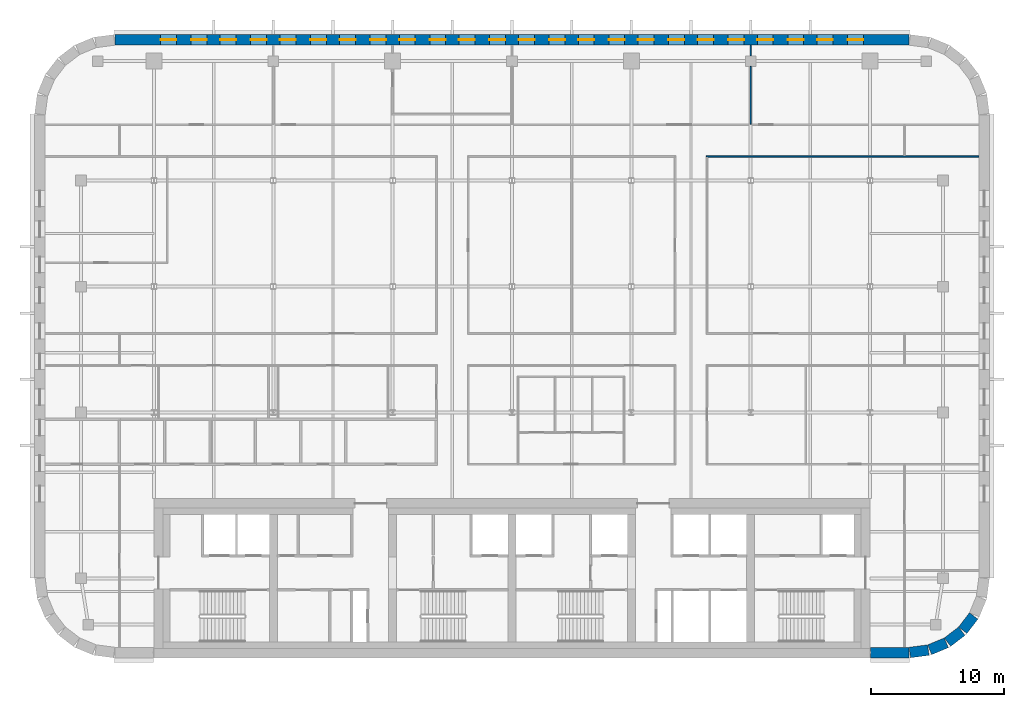
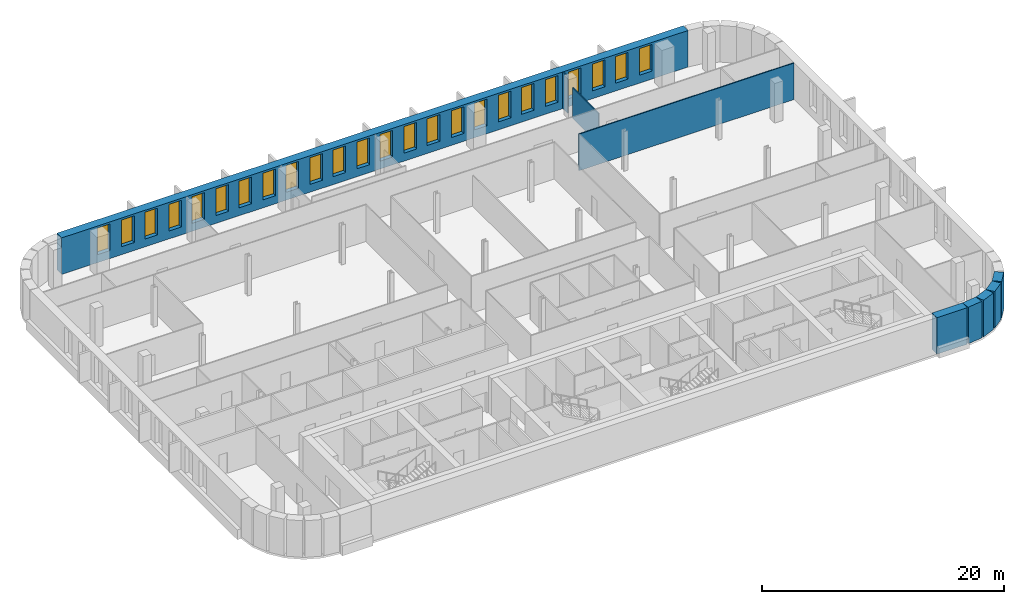
# One storey, part 10 of 15: 24 windows, 9 walls, 24 openings.
"""IFC4 building model written with IfcOpenShell, lengths in metres."""

from ifc_helpers import new_model, si_unit, direction, frame, frame_2d, origin, place, context, subcontext, project, spatial, rectangle, extrude, material, layer, layer_set, type_object, element, fill, save


model = new_model("IFC4")

# Units and contexts
model_context = context("Model", 3, precision=1e-05, world=origin(), true_north=direction((0.0, 1.0)))
body_context = subcontext(model_context, "Body", "Model", "MODEL_VIEW")
ifc_project = project(units=[si_unit("LENGTHUNIT", "METRE"), si_unit("AREAUNIT", "SQUARE_METRE"), si_unit("VOLUMEUNIT", "CUBIC_METRE"), si_unit("PLANEANGLEUNIT", "RADIAN"), si_unit("MASSUNIT", "GRAM", prefix="KILO")], contexts=[model_context])

# Site, building, storey
site_placement = place(None, origin())
site = spatial("IfcSite", under=ifc_project, at=site_placement, CompositionType="ELEMENT")
building_placement = place(site_placement, origin())
building = spatial("IfcBuilding", under=site, at=building_placement, Name="Zellij Exchange Tower", CompositionType="ELEMENT")
storey_placement = place(building_placement, frame((0.0, 0.0, 260.5)))
storey = spatial("IfcBuildingStorey", under=building, at=storey_placement, Name="L61", CompositionType="ELEMENT", Elevation=260.5)

# Walls
ifc_material_1 = material(Name="Precast concrete C40/50", Category="concrete")
ifc_layer_1 = layer(ifc_material_1, 0.800048828125)
ifc_layer_set_1 = layer_set([ifc_layer_1], Name="Precast concrete C40/50")
wall_type_1 = type_object("IfcWallType", Name="ENV-EW1 Precast stone-piered wall 800", PredefinedType="SOLIDWALL", material=ifc_layer_set_1)
wall_1_placement = place(storey_placement, frame((27.050048828125, -13.60009765625, 0.0), z_axis=(0.0, 0.0, 1.0), x_axis=(1.0, 0.0, 0.0)))
element("IfcWall", 1, at=wall_1_placement, inside=storey, type_object=wall_type_1, Name="fac.L61.00b", PredefinedType="SOLIDWALL", context=body_context, shape_type="SweptSolid", body=[
    extrude(rectangle(XDim=2.8974609375, YDim=0.800048828125, at=frame_2d((1.44873046875, 0.0))), origin(), (0.0, 0.0, 1.0), 3.699951171875),
])
wall_2_placement = place(storey_placement, frame((29.999755859375, -13.5966796875, 0.0), z_axis=(0.0, 0.0, 1.0), x_axis=(0.99144603414, 0.130517283865, 0.0)))
element("IfcWall", 2, at=wall_2_placement, inside=storey, type_object=wall_type_1, Name="fac.L61.01", PredefinedType="SOLIDWALL", context=body_context, shape_type="SweptSolid", body=[
    extrude(rectangle(XDim=1.408447265625, YDim=0.800048828125, at=frame_2d((0.7041015625, 0.0))), origin(), (0.0, 0.0, 1.0), 3.699951171875),
])
wall_3_placement = place(storey_placement, frame((31.497314453125, -13.3857421875, 0.0), z_axis=(0.0, 0.0, 1.0), x_axis=(0.923847774587, 0.38276009378, 0.0)))
element("IfcWall", 3, at=wall_3_placement, inside=storey, type_object=wall_type_1, Name="fac.L61.02", PredefinedType="SOLIDWALL", context=body_context, shape_type="SweptSolid", body=[
    extrude(rectangle(XDim=1.35546875, YDim=0.800048828125, at=frame_2d((0.677734375, 0.0))), origin(), (0.0, 0.0, 1.0), 3.699951171875),
])
for number, where, z_axis, x_axis, name in (
    (4, (32.840087890625, -12.814697265625, 0.0), (0.0, 0.0, 1.0), (0.793272915452, 0.608866226366, 0.0), "fac.L61.03"),
    (5, (33.9892578125, -11.91552734375, 0.0), (0.0, 0.0, 1.0), (0.608866226366, 0.793272915452, 0.0), "fac.L61.04"),
):
    element("IfcWall", number, at=place(storey_placement, frame(where, z_axis=z_axis, x_axis=x_axis)), inside=storey, type_object=wall_type_1, Name=name, PredefinedType="SOLIDWALL", context=body_context, shape_type="SweptSolid", body=[
        extrude(rectangle(XDim=1.355712890625, YDim=0.800048828125, at=frame_2d((0.677734375, 0.0))), origin(), (0.0, 0.0, 1.0), 3.699951171875),
    ])

# Wall, openings, windows
wall_4_placement = place(storey_placement, frame((29.947509765625, 32.60009765625, 0.0), z_axis=(0.0, 0.0, 1.0), x_axis=(-1.0, 0.0, 0.0)))
wall_4 = element("IfcWall", 6, at=wall_4_placement, inside=storey, type_object=wall_type_1, Name="fac.L61.14", PredefinedType="SOLIDWALL", context=body_context, shape_type="SweptSolid", body=[
    extrude(rectangle(XDim=59.89501953125, YDim=0.800048828125, at=frame_2d((29.947509765625, 0.0))), origin(), (0.0, 0.0, 1.0), 3.699951171875),
])
opening_1_placement = place(wall_4_placement, frame((3.447509765625, 0.0, 0.800048828125)))
opening_1 = element("IfcOpeningElement", 7, at=opening_1_placement, cuts=wall_4, Name="Opening FZ4.11", PredefinedType="OPENING", context=body_context, shape_type="SweptSolid", body=[
    extrude(rectangle(XDim=1.199951171875, YDim=2.699951171875, at=frame_2d((0.60009765625, 1.35009765625))), frame((0.0, 0.412109375, 0.0), z_axis=(0.0, -1.0, 0.0), x_axis=(1.0, 0.0, 0.0)), (0.0, 0.0, 1.0), 0.823974609375),
])
opening_2_placement = place(wall_4_placement, frame((5.74755859375, 0.0, 0.800048828125)))
opening_2 = element("IfcOpeningElement", 8, at=opening_2_placement, cuts=wall_4, Name="Opening FZ4.12", PredefinedType="OPENING", context=body_context, shape_type="SweptSolid", body=[
    extrude(rectangle(XDim=1.199951171875, YDim=2.699951171875, at=frame_2d((0.60009765625, 1.35009765625))), frame((0.0, 0.412109375, 0.0), z_axis=(0.0, -1.0, 0.0), x_axis=(1.0, 0.0, 0.0)), (0.0, 0.0, 1.0), 0.823974609375),
])
opening_3_placement = place(wall_4_placement, frame((7.947509765625, 0.0, 0.800048828125)))
opening_3 = element("IfcOpeningElement", 9, at=opening_3_placement, cuts=wall_4, Name="Opening FZ4.13", PredefinedType="OPENING", context=body_context, shape_type="SweptSolid", body=[
    extrude(rectangle(XDim=1.199951171875, YDim=2.699951171875, at=frame_2d((0.60009765625, 1.35009765625))), frame((0.0, 0.412109375, 0.0), z_axis=(0.0, -1.0, 0.0), x_axis=(1.0, 0.0, 0.0)), (0.0, 0.0, 1.0), 0.823974609375),
])
opening_4_placement = place(wall_4_placement, frame((10.24755859375, 0.0, 0.800048828125)))
opening_4 = element("IfcOpeningElement", 10, at=opening_4_placement, cuts=wall_4, Name="Opening FZ4.14", PredefinedType="OPENING", context=body_context, shape_type="SweptSolid", body=[
    extrude(rectangle(XDim=1.199951171875, YDim=2.699951171875, at=frame_2d((0.60009765625, 1.35009765625))), frame((0.0, 0.412109375, 0.0), z_axis=(0.0, -1.0, 0.0), x_axis=(1.0, 0.0, 0.0)), (0.0, 0.0, 1.0), 0.823974609375),
])
opening_5_placement = place(wall_4_placement, frame((12.447509765625, 0.0, 0.800048828125)))
opening_5 = element("IfcOpeningElement", 11, at=opening_5_placement, cuts=wall_4, Name="Opening FZ4.15", PredefinedType="OPENING", context=body_context, shape_type="SweptSolid", body=[
    extrude(rectangle(XDim=1.199951171875, YDim=2.699951171875, at=frame_2d((0.60009765625, 1.35009765625))), frame((0.0, 0.412109375, 0.0), z_axis=(0.0, -1.0, 0.0), x_axis=(1.0, 0.0, 0.0)), (0.0, 0.0, 1.0), 0.823974609375),
])
opening_6_placement = place(wall_4_placement, frame((14.74755859375, 0.0, 0.800048828125)))
opening_6 = element("IfcOpeningElement", 12, at=opening_6_placement, cuts=wall_4, Name="Opening FZ4.16", PredefinedType="OPENING", context=body_context, shape_type="SweptSolid", body=[
    extrude(rectangle(XDim=1.199951171875, YDim=2.699951171875, at=frame_2d((0.60009765625, 1.35009765625))), frame((0.0, 0.412109375, 0.0), z_axis=(0.0, -1.0, 0.0), x_axis=(1.0, 0.0, 0.0)), (0.0, 0.0, 1.0), 0.823974609375),
])
opening_7_placement = place(wall_4_placement, frame((16.947509765625, 0.0, 0.800048828125)))
opening_7 = element("IfcOpeningElement", 13, at=opening_7_placement, cuts=wall_4, Name="Opening FZ4.17", PredefinedType="OPENING", context=body_context, shape_type="SweptSolid", body=[
    extrude(rectangle(XDim=1.199951171875, YDim=2.699951171875, at=frame_2d((0.60009765625, 1.35009765625))), frame((0.0, 0.412109375, 0.0), z_axis=(0.0, -1.0, 0.0), x_axis=(1.0, 0.0, 0.0)), (0.0, 0.0, 1.0), 0.823974609375),
])
opening_8_placement = place(wall_4_placement, frame((19.24755859375, 0.0, 0.800048828125)))
opening_8 = element("IfcOpeningElement", 14, at=opening_8_placement, cuts=wall_4, Name="Opening FZ4.18", PredefinedType="OPENING", context=body_context, shape_type="SweptSolid", body=[
    extrude(rectangle(XDim=1.199951171875, YDim=2.699951171875, at=frame_2d((0.60009765625, 1.35009765625))), frame((0.0, 0.412109375, 0.0), z_axis=(0.0, -1.0, 0.0), x_axis=(1.0, 0.0, 0.0)), (0.0, 0.0, 1.0), 0.823974609375),
])
opening_9_placement = place(wall_4_placement, frame((21.447509765625, 0.0, 0.800048828125)))
opening_9 = element("IfcOpeningElement", 15, at=opening_9_placement, cuts=wall_4, Name="Opening FZ4.19", PredefinedType="OPENING", context=body_context, shape_type="SweptSolid", body=[
    extrude(rectangle(XDim=1.199951171875, YDim=2.699951171875, at=frame_2d((0.60009765625, 1.35009765625))), frame((0.0, 0.412109375, 0.0), z_axis=(0.0, -1.0, 0.0), x_axis=(1.0, 0.0, 0.0)), (0.0, 0.0, 1.0), 0.823974609375),
])
opening_10_placement = place(wall_4_placement, frame((23.74755859375, 0.0, 0.800048828125)))
opening_10 = element("IfcOpeningElement", 16, at=opening_10_placement, cuts=wall_4, Name="Opening FZ4.20", PredefinedType="OPENING", context=body_context, shape_type="SweptSolid", body=[
    extrude(rectangle(XDim=1.199951171875, YDim=2.699951171875, at=frame_2d((0.60009765625, 1.35009765625))), frame((0.0, 0.412109375, 0.0), z_axis=(0.0, -1.0, 0.0), x_axis=(1.0, 0.0, 0.0)), (0.0, 0.0, 1.0), 0.823974609375),
])
opening_11_placement = place(wall_4_placement, frame((25.947509765625, 0.0, 0.800048828125)))
opening_11 = element("IfcOpeningElement", 17, at=opening_11_placement, cuts=wall_4, Name="Opening FZ4.21", PredefinedType="OPENING", context=body_context, shape_type="SweptSolid", body=[
    extrude(rectangle(XDim=1.199951171875, YDim=2.699951171875, at=frame_2d((0.60009765625, 1.35009765625))), frame((0.0, 0.412109375, 0.0), z_axis=(0.0, -1.0, 0.0), x_axis=(1.0, 0.0, 0.0)), (0.0, 0.0, 1.0), 0.823974609375),
])
opening_12_placement = place(wall_4_placement, frame((28.24755859375, 0.0, 0.800048828125)))
opening_12 = element("IfcOpeningElement", 18, at=opening_12_placement, cuts=wall_4, Name="Opening FZ4.22", PredefinedType="OPENING", context=body_context, shape_type="SweptSolid", body=[
    extrude(rectangle(XDim=1.199951171875, YDim=2.699951171875, at=frame_2d((0.60009765625, 1.35009765625))), frame((0.0, 0.412109375, 0.0), z_axis=(0.0, -1.0, 0.0), x_axis=(1.0, 0.0, 0.0)), (0.0, 0.0, 1.0), 0.823974609375),
])
opening_13_placement = place(wall_4_placement, frame((30.447509765625, 0.0, 0.800048828125)))
opening_13 = element("IfcOpeningElement", 19, at=opening_13_placement, cuts=wall_4, Name="Opening FZ4.23", PredefinedType="OPENING", context=body_context, shape_type="SweptSolid", body=[
    extrude(rectangle(XDim=1.199951171875, YDim=2.699951171875, at=frame_2d((0.60009765625, 1.35009765625))), frame((0.0, 0.412109375, 0.0), z_axis=(0.0, -1.0, 0.0), x_axis=(1.0, 0.0, 0.0)), (0.0, 0.0, 1.0), 0.823974609375),
])
opening_14_placement = place(wall_4_placement, frame((32.74755859375, 0.0, 0.800048828125)))
opening_14 = element("IfcOpeningElement", 20, at=opening_14_placement, cuts=wall_4, Name="Opening FZ4.24", PredefinedType="OPENING", context=body_context, shape_type="SweptSolid", body=[
    extrude(rectangle(XDim=1.199951171875, YDim=2.699951171875, at=frame_2d((0.60009765625, 1.35009765625))), frame((0.0, 0.412109375, 0.0), z_axis=(0.0, -1.0, 0.0), x_axis=(1.0, 0.0, 0.0)), (0.0, 0.0, 1.0), 0.823974609375),
])
opening_15_placement = place(wall_4_placement, frame((34.947509765625, 0.0, 0.800048828125)))
opening_15 = element("IfcOpeningElement", 21, at=opening_15_placement, cuts=wall_4, Name="Opening FZ4.25", PredefinedType="OPENING", context=body_context, shape_type="SweptSolid", body=[
    extrude(rectangle(XDim=1.199951171875, YDim=2.699951171875, at=frame_2d((0.60009765625, 1.35009765625))), frame((0.0, 0.412109375, 0.0), z_axis=(0.0, -1.0, 0.0), x_axis=(1.0, 0.0, 0.0)), (0.0, 0.0, 1.0), 0.823974609375),
])
opening_16_placement = place(wall_4_placement, frame((37.24755859375, 0.0, 0.800048828125)))
opening_16 = element("IfcOpeningElement", 22, at=opening_16_placement, cuts=wall_4, Name="Opening FZ4.26", PredefinedType="OPENING", context=body_context, shape_type="SweptSolid", body=[
    extrude(rectangle(XDim=1.199951171875, YDim=2.699951171875, at=frame_2d((0.60009765625, 1.35009765625))), frame((0.0, 0.412109375, 0.0), z_axis=(0.0, -1.0, 0.0), x_axis=(1.0, 0.0, 0.0)), (0.0, 0.0, 1.0), 0.823974609375),
])
opening_17_placement = place(wall_4_placement, frame((39.447509765625, 0.0, 0.800048828125)))
opening_17 = element("IfcOpeningElement", 23, at=opening_17_placement, cuts=wall_4, Name="Opening FZ4.27", PredefinedType="OPENING", context=body_context, shape_type="SweptSolid", body=[
    extrude(rectangle(XDim=1.199951171875, YDim=2.699951171875, at=frame_2d((0.60009765625, 1.35009765625))), frame((0.0, 0.412109375, 0.0), z_axis=(0.0, -1.0, 0.0), x_axis=(1.0, 0.0, 0.0)), (0.0, 0.0, 1.0), 0.823974609375),
])
opening_18_placement = place(wall_4_placement, frame((41.74755859375, 0.0, 0.800048828125)))
opening_18 = element("IfcOpeningElement", 24, at=opening_18_placement, cuts=wall_4, Name="Opening FZ4.28", PredefinedType="OPENING", context=body_context, shape_type="SweptSolid", body=[
    extrude(rectangle(XDim=1.199951171875, YDim=2.699951171875, at=frame_2d((0.60009765625, 1.35009765625))), frame((0.0, 0.412109375, 0.0), z_axis=(0.0, -1.0, 0.0), x_axis=(1.0, 0.0, 0.0)), (0.0, 0.0, 1.0), 0.823974609375),
])
opening_19_placement = place(wall_4_placement, frame((43.947509765625, 0.0, 0.800048828125)))
opening_19 = element("IfcOpeningElement", 25, at=opening_19_placement, cuts=wall_4, Name="Opening FZ4.29", PredefinedType="OPENING", context=body_context, shape_type="SweptSolid", body=[
    extrude(rectangle(XDim=1.199951171875, YDim=2.699951171875, at=frame_2d((0.60009765625, 1.35009765625))), frame((0.0, 0.412109375, 0.0), z_axis=(0.0, -1.0, 0.0), x_axis=(1.0, 0.0, 0.0)), (0.0, 0.0, 1.0), 0.823974609375),
])
opening_20_placement = place(wall_4_placement, frame((46.24755859375, 0.0, 0.800048828125)))
opening_20 = element("IfcOpeningElement", 26, at=opening_20_placement, cuts=wall_4, Name="Opening FZ4.30", PredefinedType="OPENING", context=body_context, shape_type="SweptSolid", body=[
    extrude(rectangle(XDim=1.199951171875, YDim=2.699951171875, at=frame_2d((0.60009765625, 1.35009765625))), frame((0.0, 0.412109375, 0.0), z_axis=(0.0, -1.0, 0.0), x_axis=(1.0, 0.0, 0.0)), (0.0, 0.0, 1.0), 0.823974609375),
])
opening_21_placement = place(wall_4_placement, frame((48.447509765625, 0.0, 0.800048828125)))
opening_21 = element("IfcOpeningElement", 27, at=opening_21_placement, cuts=wall_4, Name="Opening FZ4.31", PredefinedType="OPENING", context=body_context, shape_type="SweptSolid", body=[
    extrude(rectangle(XDim=1.199951171875, YDim=2.699951171875, at=frame_2d((0.60009765625, 1.35009765625))), frame((0.0, 0.412109375, 0.0), z_axis=(0.0, -1.0, 0.0), x_axis=(1.0, 0.0, 0.0)), (0.0, 0.0, 1.0), 0.823974609375),
])
opening_22_placement = place(wall_4_placement, frame((50.74755859375, 0.0, 0.800048828125)))
opening_22 = element("IfcOpeningElement", 28, at=opening_22_placement, cuts=wall_4, Name="Opening FZ4.32", PredefinedType="OPENING", context=body_context, shape_type="SweptSolid", body=[
    extrude(rectangle(XDim=1.199951171875, YDim=2.699951171875, at=frame_2d((0.60009765625, 1.35009765625))), frame((0.0, 0.412109375, 0.0), z_axis=(0.0, -1.0, 0.0), x_axis=(1.0, 0.0, 0.0)), (0.0, 0.0, 1.0), 0.823974609375),
])
opening_23_placement = place(wall_4_placement, frame((52.947509765625, 0.0, 0.800048828125)))
opening_23 = element("IfcOpeningElement", 29, at=opening_23_placement, cuts=wall_4, Name="Opening FZ4.33", PredefinedType="OPENING", context=body_context, shape_type="SweptSolid", body=[
    extrude(rectangle(XDim=1.199951171875, YDim=2.699951171875, at=frame_2d((0.60009765625, 1.35009765625))), frame((0.0, 0.412109375, 0.0), z_axis=(0.0, -1.0, 0.0), x_axis=(1.0, 0.0, 0.0)), (0.0, 0.0, 1.0), 0.823974609375),
])
opening_24_placement = place(wall_4_placement, frame((55.24755859375, 0.0, 0.800048828125)))
opening_24 = element("IfcOpeningElement", 30, at=opening_24_placement, cuts=wall_4, Name="Opening FZ4.34", PredefinedType="OPENING", context=body_context, shape_type="SweptSolid", body=[
    extrude(rectangle(XDim=1.199951171875, YDim=2.699951171875, at=frame_2d((0.60009765625, 1.35009765625))), frame((0.0, 0.412109375, 0.0), z_axis=(0.0, -1.0, 0.0), x_axis=(1.0, 0.0, 0.0)), (0.0, 0.0, 1.0), 0.823974609375),
])
ifc_material_2 = material(Name="Aluminium frame with insulating glass", Category="aluminium")
window_type = type_object("IfcWindowType", Name="ENV-W9 Window 1200x2700", PartitioningType="SINGLE_PANEL", PredefinedType="WINDOW", material=ifc_material_2)
window_1_placement = place(opening_1_placement, origin())
window_1 = element("IfcWindow", 31, at=window_1_placement, inside=storey, type_object=window_type, Name="Window FZ4.11", OverallHeight=2.699951171875, OverallWidth=1.199951171875, PartitioningType="SINGLE_PANEL", PredefinedType="WINDOW", context=body_context, shape_type="SweptSolid", body=[
    extrude(rectangle(XDim=1.199951171875, YDim=2.699951171875, at=frame_2d((0.60009765625, 1.35009765625))), frame((0.0, 0.030029296875, 0.0), z_axis=(0.0, -1.0, 0.0), x_axis=(1.0, 0.0, 0.0)), (0.0, 0.0, 1.0), 0.06005859375),
])
fill(opening_1, window_1)
window_2_placement = place(opening_2_placement, origin())
window_2 = element("IfcWindow", 32, at=window_2_placement, inside=storey, type_object=window_type, Name="Window FZ4.12", OverallHeight=2.699951171875, OverallWidth=1.199951171875, PartitioningType="SINGLE_PANEL", PredefinedType="WINDOW", context=body_context, shape_type="SweptSolid", body=[
    extrude(rectangle(XDim=1.199951171875, YDim=2.699951171875, at=frame_2d((0.60009765625, 1.35009765625))), frame((0.0, 0.030029296875, 0.0), z_axis=(0.0, -1.0, 0.0), x_axis=(1.0, 0.0, 0.0)), (0.0, 0.0, 1.0), 0.06005859375),
])
fill(opening_2, window_2)
window_3_placement = place(opening_3_placement, origin())
window_3 = element("IfcWindow", 33, at=window_3_placement, inside=storey, type_object=window_type, Name="Window FZ4.13", OverallHeight=2.699951171875, OverallWidth=1.199951171875, PartitioningType="SINGLE_PANEL", PredefinedType="WINDOW", context=body_context, shape_type="SweptSolid", body=[
    extrude(rectangle(XDim=1.199951171875, YDim=2.699951171875, at=frame_2d((0.60009765625, 1.35009765625))), frame((0.0, 0.030029296875, 0.0), z_axis=(0.0, -1.0, 0.0), x_axis=(1.0, 0.0, 0.0)), (0.0, 0.0, 1.0), 0.06005859375),
])
fill(opening_3, window_3)
window_4_placement = place(opening_4_placement, origin())
window_4 = element("IfcWindow", 34, at=window_4_placement, inside=storey, type_object=window_type, Name="Window FZ4.14", OverallHeight=2.699951171875, OverallWidth=1.199951171875, PartitioningType="SINGLE_PANEL", PredefinedType="WINDOW", context=body_context, shape_type="SweptSolid", body=[
    extrude(rectangle(XDim=1.199951171875, YDim=2.699951171875, at=frame_2d((0.60009765625, 1.35009765625))), frame((0.0, 0.030029296875, 0.0), z_axis=(0.0, -1.0, 0.0), x_axis=(1.0, 0.0, 0.0)), (0.0, 0.0, 1.0), 0.06005859375),
])
fill(opening_4, window_4)
window_5_placement = place(opening_5_placement, origin())
window_5 = element("IfcWindow", 35, at=window_5_placement, inside=storey, type_object=window_type, Name="Window FZ4.15", OverallHeight=2.699951171875, OverallWidth=1.199951171875, PartitioningType="SINGLE_PANEL", PredefinedType="WINDOW", context=body_context, shape_type="SweptSolid", body=[
    extrude(rectangle(XDim=1.199951171875, YDim=2.699951171875, at=frame_2d((0.60009765625, 1.35009765625))), frame((0.0, 0.030029296875, 0.0), z_axis=(0.0, -1.0, 0.0), x_axis=(1.0, 0.0, 0.0)), (0.0, 0.0, 1.0), 0.06005859375),
])
fill(opening_5, window_5)
window_6_placement = place(opening_6_placement, origin())
window_6 = element("IfcWindow", 36, at=window_6_placement, inside=storey, type_object=window_type, Name="Window FZ4.16", OverallHeight=2.699951171875, OverallWidth=1.199951171875, PartitioningType="SINGLE_PANEL", PredefinedType="WINDOW", context=body_context, shape_type="SweptSolid", body=[
    extrude(rectangle(XDim=1.199951171875, YDim=2.699951171875, at=frame_2d((0.60009765625, 1.35009765625))), frame((0.0, 0.030029296875, 0.0), z_axis=(0.0, -1.0, 0.0), x_axis=(1.0, 0.0, 0.0)), (0.0, 0.0, 1.0), 0.06005859375),
])
fill(opening_6, window_6)
window_7_placement = place(opening_7_placement, origin())
window_7 = element("IfcWindow", 37, at=window_7_placement, inside=storey, type_object=window_type, Name="Window FZ4.17", OverallHeight=2.699951171875, OverallWidth=1.199951171875, PartitioningType="SINGLE_PANEL", PredefinedType="WINDOW", context=body_context, shape_type="SweptSolid", body=[
    extrude(rectangle(XDim=1.199951171875, YDim=2.699951171875, at=frame_2d((0.60009765625, 1.35009765625))), frame((0.0, 0.030029296875, 0.0), z_axis=(0.0, -1.0, 0.0), x_axis=(1.0, 0.0, 0.0)), (0.0, 0.0, 1.0), 0.06005859375),
])
fill(opening_7, window_7)
window_8_placement = place(opening_8_placement, origin())
window_8 = element("IfcWindow", 38, at=window_8_placement, inside=storey, type_object=window_type, Name="Window FZ4.18", OverallHeight=2.699951171875, OverallWidth=1.199951171875, PartitioningType="SINGLE_PANEL", PredefinedType="WINDOW", context=body_context, shape_type="SweptSolid", body=[
    extrude(rectangle(XDim=1.199951171875, YDim=2.699951171875, at=frame_2d((0.60009765625, 1.35009765625))), frame((0.0, 0.030029296875, 0.0), z_axis=(0.0, -1.0, 0.0), x_axis=(1.0, 0.0, 0.0)), (0.0, 0.0, 1.0), 0.06005859375),
])
fill(opening_8, window_8)
window_9_placement = place(opening_9_placement, origin())
window_9 = element("IfcWindow", 39, at=window_9_placement, inside=storey, type_object=window_type, Name="Window FZ4.19", OverallHeight=2.699951171875, OverallWidth=1.199951171875, PartitioningType="SINGLE_PANEL", PredefinedType="WINDOW", context=body_context, shape_type="SweptSolid", body=[
    extrude(rectangle(XDim=1.199951171875, YDim=2.699951171875, at=frame_2d((0.60009765625, 1.35009765625))), frame((0.0, 0.030029296875, 0.0), z_axis=(0.0, -1.0, 0.0), x_axis=(1.0, 0.0, 0.0)), (0.0, 0.0, 1.0), 0.06005859375),
])
fill(opening_9, window_9)
window_10_placement = place(opening_10_placement, origin())
window_10 = element("IfcWindow", 40, at=window_10_placement, inside=storey, type_object=window_type, Name="Window FZ4.20", OverallHeight=2.699951171875, OverallWidth=1.199951171875, PartitioningType="SINGLE_PANEL", PredefinedType="WINDOW", context=body_context, shape_type="SweptSolid", body=[
    extrude(rectangle(XDim=1.199951171875, YDim=2.699951171875, at=frame_2d((0.60009765625, 1.35009765625))), frame((0.0, 0.030029296875, 0.0), z_axis=(0.0, -1.0, 0.0), x_axis=(1.0, 0.0, 0.0)), (0.0, 0.0, 1.0), 0.06005859375),
])
fill(opening_10, window_10)
window_11_placement = place(opening_11_placement, origin())
window_11 = element("IfcWindow", 41, at=window_11_placement, inside=storey, type_object=window_type, Name="Window FZ4.21", OverallHeight=2.699951171875, OverallWidth=1.199951171875, PartitioningType="SINGLE_PANEL", PredefinedType="WINDOW", context=body_context, shape_type="SweptSolid", body=[
    extrude(rectangle(XDim=1.199951171875, YDim=2.699951171875, at=frame_2d((0.60009765625, 1.35009765625))), frame((0.0, 0.030029296875, 0.0), z_axis=(0.0, -1.0, 0.0), x_axis=(1.0, 0.0, 0.0)), (0.0, 0.0, 1.0), 0.06005859375),
])
fill(opening_11, window_11)
window_12_placement = place(opening_12_placement, origin())
window_12 = element("IfcWindow", 42, at=window_12_placement, inside=storey, type_object=window_type, Name="Window FZ4.22", OverallHeight=2.699951171875, OverallWidth=1.199951171875, PartitioningType="SINGLE_PANEL", PredefinedType="WINDOW", context=body_context, shape_type="SweptSolid", body=[
    extrude(rectangle(XDim=1.199951171875, YDim=2.699951171875, at=frame_2d((0.60009765625, 1.35009765625))), frame((0.0, 0.030029296875, 0.0), z_axis=(0.0, -1.0, 0.0), x_axis=(1.0, 0.0, 0.0)), (0.0, 0.0, 1.0), 0.06005859375),
])
fill(opening_12, window_12)
window_13_placement = place(opening_13_placement, origin())
window_13 = element("IfcWindow", 43, at=window_13_placement, inside=storey, type_object=window_type, Name="Window FZ4.23", OverallHeight=2.699951171875, OverallWidth=1.199951171875, PartitioningType="SINGLE_PANEL", PredefinedType="WINDOW", context=body_context, shape_type="SweptSolid", body=[
    extrude(rectangle(XDim=1.199951171875, YDim=2.699951171875, at=frame_2d((0.60009765625, 1.35009765625))), frame((0.0, 0.030029296875, 0.0), z_axis=(0.0, -1.0, 0.0), x_axis=(1.0, 0.0, 0.0)), (0.0, 0.0, 1.0), 0.06005859375),
])
fill(opening_13, window_13)
window_14_placement = place(opening_14_placement, origin())
window_14 = element("IfcWindow", 44, at=window_14_placement, inside=storey, type_object=window_type, Name="Window FZ4.24", OverallHeight=2.699951171875, OverallWidth=1.199951171875, PartitioningType="SINGLE_PANEL", PredefinedType="WINDOW", context=body_context, shape_type="SweptSolid", body=[
    extrude(rectangle(XDim=1.199951171875, YDim=2.699951171875, at=frame_2d((0.60009765625, 1.35009765625))), frame((0.0, 0.030029296875, 0.0), z_axis=(0.0, -1.0, 0.0), x_axis=(1.0, 0.0, 0.0)), (0.0, 0.0, 1.0), 0.06005859375),
])
fill(opening_14, window_14)
window_15_placement = place(opening_15_placement, origin())
window_15 = element("IfcWindow", 45, at=window_15_placement, inside=storey, type_object=window_type, Name="Window FZ4.25", OverallHeight=2.699951171875, OverallWidth=1.199951171875, PartitioningType="SINGLE_PANEL", PredefinedType="WINDOW", context=body_context, shape_type="SweptSolid", body=[
    extrude(rectangle(XDim=1.199951171875, YDim=2.699951171875, at=frame_2d((0.60009765625, 1.35009765625))), frame((0.0, 0.030029296875, 0.0), z_axis=(0.0, -1.0, 0.0), x_axis=(1.0, 0.0, 0.0)), (0.0, 0.0, 1.0), 0.06005859375),
])
fill(opening_15, window_15)
window_16_placement = place(opening_16_placement, origin())
window_16 = element("IfcWindow", 46, at=window_16_placement, inside=storey, type_object=window_type, Name="Window FZ4.26", OverallHeight=2.699951171875, OverallWidth=1.199951171875, PartitioningType="SINGLE_PANEL", PredefinedType="WINDOW", context=body_context, shape_type="SweptSolid", body=[
    extrude(rectangle(XDim=1.199951171875, YDim=2.699951171875, at=frame_2d((0.60009765625, 1.35009765625))), frame((0.0, 0.030029296875, 0.0), z_axis=(0.0, -1.0, 0.0), x_axis=(1.0, 0.0, 0.0)), (0.0, 0.0, 1.0), 0.06005859375),
])
fill(opening_16, window_16)
window_17_placement = place(opening_17_placement, origin())
window_17 = element("IfcWindow", 47, at=window_17_placement, inside=storey, type_object=window_type, Name="Window FZ4.27", OverallHeight=2.699951171875, OverallWidth=1.199951171875, PartitioningType="SINGLE_PANEL", PredefinedType="WINDOW", context=body_context, shape_type="SweptSolid", body=[
    extrude(rectangle(XDim=1.199951171875, YDim=2.699951171875, at=frame_2d((0.60009765625, 1.35009765625))), frame((0.0, 0.030029296875, 0.0), z_axis=(0.0, -1.0, 0.0), x_axis=(1.0, 0.0, 0.0)), (0.0, 0.0, 1.0), 0.06005859375),
])
fill(opening_17, window_17)
window_18_placement = place(opening_18_placement, origin())
window_18 = element("IfcWindow", 48, at=window_18_placement, inside=storey, type_object=window_type, Name="Window FZ4.28", OverallHeight=2.699951171875, OverallWidth=1.199951171875, PartitioningType="SINGLE_PANEL", PredefinedType="WINDOW", context=body_context, shape_type="SweptSolid", body=[
    extrude(rectangle(XDim=1.199951171875, YDim=2.699951171875, at=frame_2d((0.60009765625, 1.35009765625))), frame((0.0, 0.030029296875, 0.0), z_axis=(0.0, -1.0, 0.0), x_axis=(1.0, 0.0, 0.0)), (0.0, 0.0, 1.0), 0.06005859375),
])
fill(opening_18, window_18)
window_19_placement = place(opening_19_placement, origin())
window_19 = element("IfcWindow", 49, at=window_19_placement, inside=storey, type_object=window_type, Name="Window FZ4.29", OverallHeight=2.699951171875, OverallWidth=1.199951171875, PartitioningType="SINGLE_PANEL", PredefinedType="WINDOW", context=body_context, shape_type="SweptSolid", body=[
    extrude(rectangle(XDim=1.199951171875, YDim=2.699951171875, at=frame_2d((0.60009765625, 1.35009765625))), frame((0.0, 0.030029296875, 0.0), z_axis=(0.0, -1.0, 0.0), x_axis=(1.0, 0.0, 0.0)), (0.0, 0.0, 1.0), 0.06005859375),
])
fill(opening_19, window_19)
window_20_placement = place(opening_20_placement, origin())
window_20 = element("IfcWindow", 50, at=window_20_placement, inside=storey, type_object=window_type, Name="Window FZ4.30", OverallHeight=2.699951171875, OverallWidth=1.199951171875, PartitioningType="SINGLE_PANEL", PredefinedType="WINDOW", context=body_context, shape_type="SweptSolid", body=[
    extrude(rectangle(XDim=1.199951171875, YDim=2.699951171875, at=frame_2d((0.60009765625, 1.35009765625))), frame((0.0, 0.030029296875, 0.0), z_axis=(0.0, -1.0, 0.0), x_axis=(1.0, 0.0, 0.0)), (0.0, 0.0, 1.0), 0.06005859375),
])
fill(opening_20, window_20)
window_21_placement = place(opening_21_placement, origin())
window_21 = element("IfcWindow", 51, at=window_21_placement, inside=storey, type_object=window_type, Name="Window FZ4.31", OverallHeight=2.699951171875, OverallWidth=1.199951171875, PartitioningType="SINGLE_PANEL", PredefinedType="WINDOW", context=body_context, shape_type="SweptSolid", body=[
    extrude(rectangle(XDim=1.199951171875, YDim=2.699951171875, at=frame_2d((0.60009765625, 1.35009765625))), frame((0.0, 0.030029296875, 0.0), z_axis=(0.0, -1.0, 0.0), x_axis=(1.0, 0.0, 0.0)), (0.0, 0.0, 1.0), 0.06005859375),
])
fill(opening_21, window_21)
window_22_placement = place(opening_22_placement, origin())
window_22 = element("IfcWindow", 52, at=window_22_placement, inside=storey, type_object=window_type, Name="Window FZ4.32", OverallHeight=2.699951171875, OverallWidth=1.199951171875, PartitioningType="SINGLE_PANEL", PredefinedType="WINDOW", context=body_context, shape_type="SweptSolid", body=[
    extrude(rectangle(XDim=1.199951171875, YDim=2.699951171875, at=frame_2d((0.60009765625, 1.35009765625))), frame((0.0, 0.030029296875, 0.0), z_axis=(0.0, -1.0, 0.0), x_axis=(1.0, 0.0, 0.0)), (0.0, 0.0, 1.0), 0.06005859375),
])
fill(opening_22, window_22)
window_23_placement = place(opening_23_placement, origin())
window_23 = element("IfcWindow", 53, at=window_23_placement, inside=storey, type_object=window_type, Name="Window FZ4.33", OverallHeight=2.699951171875, OverallWidth=1.199951171875, PartitioningType="SINGLE_PANEL", PredefinedType="WINDOW", context=body_context, shape_type="SweptSolid", body=[
    extrude(rectangle(XDim=1.199951171875, YDim=2.699951171875, at=frame_2d((0.60009765625, 1.35009765625))), frame((0.0, 0.030029296875, 0.0), z_axis=(0.0, -1.0, 0.0), x_axis=(1.0, 0.0, 0.0)), (0.0, 0.0, 1.0), 0.06005859375),
])
fill(opening_23, window_23)
window_24_placement = place(opening_24_placement, origin())
window_24 = element("IfcWindow", 54, at=window_24_placement, inside=storey, type_object=window_type, Name="Window FZ4.34", OverallHeight=2.699951171875, OverallWidth=1.199951171875, PartitioningType="SINGLE_PANEL", PredefinedType="WINDOW", context=body_context, shape_type="SweptSolid", body=[
    extrude(rectangle(XDim=1.199951171875, YDim=2.699951171875, at=frame_2d((0.60009765625, 1.35009765625))), frame((0.0, 0.030029296875, 0.0), z_axis=(0.0, -1.0, 0.0), x_axis=(1.0, 0.0, 0.0)), (0.0, 0.0, 1.0), 0.06005859375),
])
fill(opening_24, window_24)

# Walls
ifc_material_3 = material(Name="Gypsum board partition on steel studs", Category="steel")
ifc_layer_2 = layer(ifc_material_3, 0.10009765625)
ifc_layer_set_2 = layer_set([ifc_layer_2], Name="Gypsum board partition on steel studs")
wall_type_2 = type_object("IfcWallType", Name="FIT-PARTITION-100", PredefinedType="PARTITIONING", material=ifc_layer_set_2)
wall_5_placement = place(storey_placement, frame((14.64990234375, 23.800048828125, 0.0), z_axis=(0.0, 0.0, 1.0), x_axis=(1.0, 0.0, 0.0)))
element("IfcWall", 55, at=wall_5_placement, inside=storey, type_object=wall_type_2, Name="FIT-PARTITION-100 052", PredefinedType="PARTITIONING", context=body_context, shape_type="SweptSolid", body=[
    extrude(rectangle(XDim=20.550048828125, YDim=0.10009765625, at=frame_2d((10.27490234375, 0.0))), origin(), (0.0, 0.0, 1.0), 3.699951171875),
])
wall_6_placement = place(storey_placement, frame((18.0, 26.25, 0.0), z_axis=(0.0, 0.0, 1.0), x_axis=(0.0, 1.0, 0.0)))
element("IfcWall", 56, at=wall_6_placement, inside=storey, type_object=wall_type_2, Name="FIT-PARTITION-100 059", PredefinedType="PARTITIONING", context=body_context, shape_type="SweptSolid", body=[
    extrude(rectangle(XDim=4.35009765625, YDim=0.10009765625, at=frame_2d((2.175048828125, 0.0))), origin(), (0.0, 0.0, 1.0), 3.093017578125),
])
wall_7_placement = place(storey_placement, frame((18.0, 31.39990234375, 0.0), z_axis=(0.0, 0.0, 1.0), x_axis=(0.0, 1.0, 0.0)))
element("IfcWall", 57, at=wall_7_placement, inside=storey, type_object=wall_type_2, Name="FIT-PARTITION-100 060", PredefinedType="PARTITIONING", context=body_context, shape_type="SweptSolid", body=[
    extrude(rectangle(XDim=0.800048828125, YDim=0.10009765625, at=frame_2d((0.39990234375, 0.0))), origin(), (0.0, 0.0, 1.0), 3.699951171875),
])

save(model, "model.ifc")
